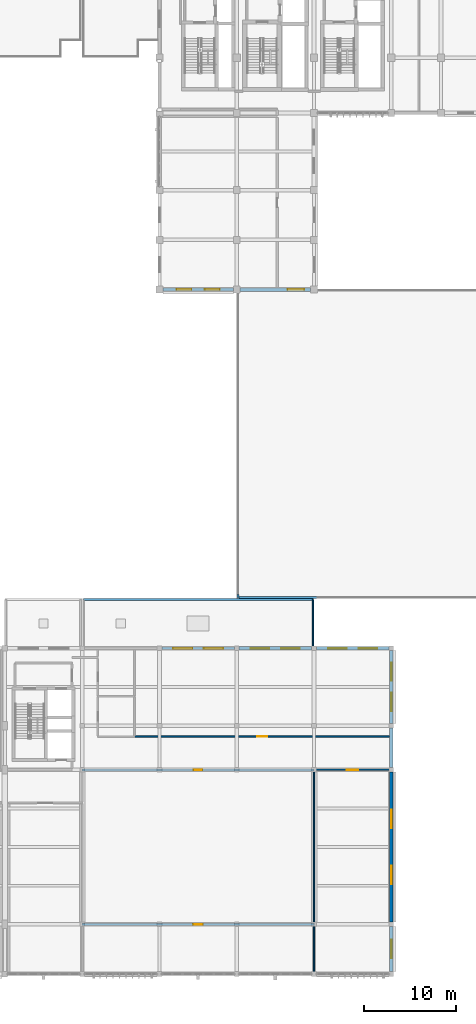
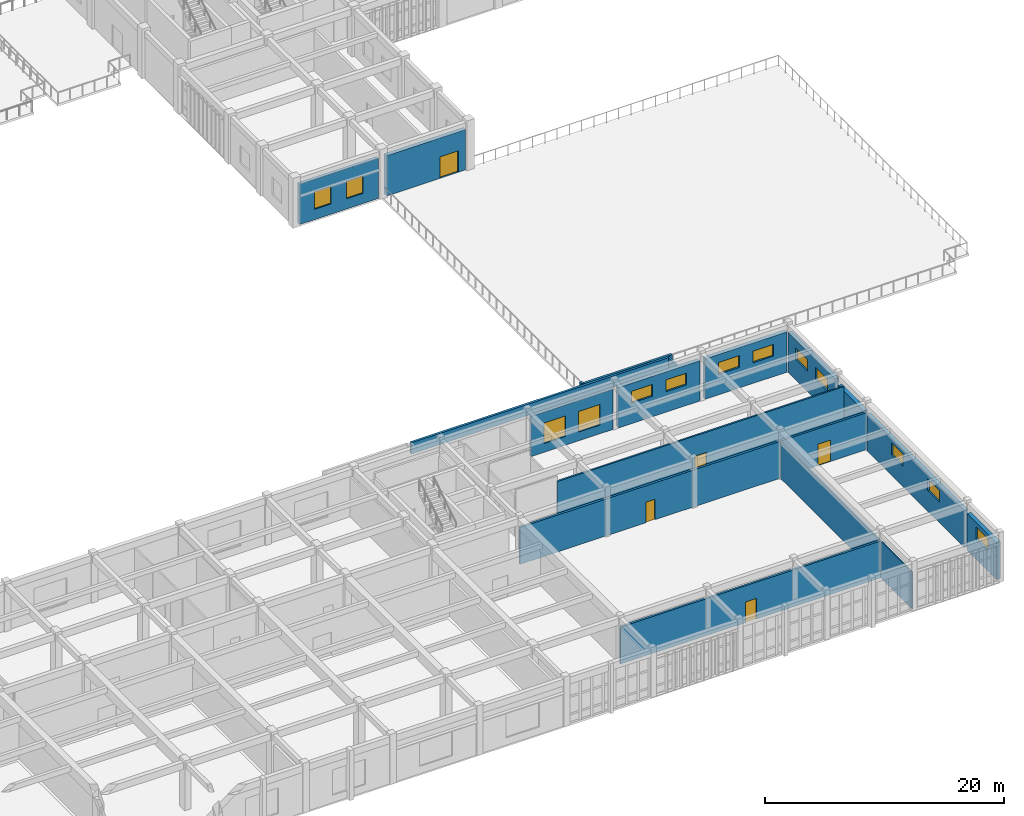
# One storey, part 79 of 93: 19 walls, 13 windows, 5 doors, 18 openings.
"""IFC4 building model written with IfcOpenShell, lengths in metres."""

from ifc_helpers import new_model, si_unit, direction, frame, frame_2d, origin, place, context, subcontext, project, spatial, rectangle, extrude, material, layer, layer_set, type_object, element, fill, save


model = new_model("IFC4")

# Units and contexts
model_context = context("Model", 3, precision=1e-05, world=origin(), true_north=direction((0.0, 1.0)))
body_context = subcontext(model_context, "Body", "Model", "MODEL_VIEW")
ifc_project = project(units=[si_unit("LENGTHUNIT", "METRE"), si_unit("AREAUNIT", "SQUARE_METRE"), si_unit("VOLUMEUNIT", "CUBIC_METRE"), si_unit("PLANEANGLEUNIT", "RADIAN"), si_unit("MASSUNIT", "GRAM", prefix="KILO")], contexts=[model_context])

# Site, building, storey
site_placement = place(None, origin())
site = spatial("IfcSite", under=ifc_project, at=site_placement, CompositionType="ELEMENT")
building_placement = place(site_placement, origin())
building = spatial("IfcBuilding", under=site, at=building_placement, Name="Krzemoval Escarpment Law Courts", CompositionType="ELEMENT")
storey_placement = place(building_placement, frame((0.0, 0.0, 10.199951171875)))
storey = spatial("IfcBuildingStorey", under=building, at=storey_placement, Name="L02", CompositionType="ELEMENT", Elevation=10.199951171875)

# Wall, openings, windows
ifc_material_1 = material(Name="Precast concrete C40/50", Category="concrete")
ifc_layer_1 = layer(ifc_material_1, 0.300048828125)
ifc_layer_set_1 = layer_set([ifc_layer_1], Name="Precast concrete C40/50")
wall_type_1 = type_object("IfcWallType", Name="WL-EXT-300", PredefinedType="SOLIDWALL", material=ifc_layer_set_1)
wall_1_placement = place(storey_placement, frame((126.25, 35.39990234375, 0.0), z_axis=(0.0, 0.0, 1.0), x_axis=(1.0, 0.0, 0.0)))
wall_1 = element("IfcWall", 1, at=wall_1_placement, inside=storey, type_object=wall_type_1, Name="Exterior Wall EW-L02-0286", PredefinedType="SOLIDWALL", context=body_context, shape_type="SweptSolid", body=[
    extrude(rectangle(XDim=7.89990234375, YDim=0.300048828125, at=frame_2d((3.949951171875, 0.0))), origin(), (0.0, 0.0, 1.0), 4.1201171875),
])
opening_1_placement = place(wall_1_placement, frame((1.23291015625, 0.0, 0.89990234375)))
opening_1 = element("IfcOpeningElement", 2, at=opening_1_placement, cuts=wall_1, Name="Opening WN-L02-0305", PredefinedType="OPENING", context=body_context, shape_type="SweptSolid", body=[
    extrude(rectangle(XDim=2.10009765625, YDim=2.10009765625, at=frame_2d((1.050048828125, 1.050048828125))), frame((0.0, 0.16502, 0.0), z_axis=(0.0, -1.0, 0.0), x_axis=(1.0, 0.0, 0.0)), (0.0, 0.0, 1.0), 0.33005),
])
opening_2_placement = place(wall_1_placement, frame((4.56689453125, 0.0, 0.89990234375)))
opening_2 = element("IfcOpeningElement", 3, at=opening_2_placement, cuts=wall_1, Name="Opening WN-L02-0306", PredefinedType="OPENING", context=body_context, shape_type="SweptSolid", body=[
    extrude(rectangle(XDim=2.10009765625, YDim=2.10009765625, at=frame_2d((1.050048828125, 1.050048828125))), frame((0.0, 0.16502, 0.0), z_axis=(0.0, -1.0, 0.0), x_axis=(1.0, 0.0, 0.0)), (0.0, 0.0, 1.0), 0.33005),
])
ifc_material_2 = material(Name="Thermally Broken Aluminium Frame with Triple Low-E Acoustic Glass", Category="aluminium")
window_type_1 = type_object("IfcWindowType", Name="WN-2100x2100", PartitioningType="SINGLE_PANEL", PredefinedType="WINDOW", material=ifc_material_2)
window_1_placement = place(opening_1_placement, origin())
window_1 = element("IfcWindow", 4, at=window_1_placement, inside=storey, type_object=window_type_1, Name="Facade Window WN-L02-0305", OverallHeight=2.10009765625, OverallWidth=2.10009765625, PartitioningType="SINGLE_PANEL", PredefinedType="WINDOW", context=body_context, shape_type="SweptSolid", body=[
    extrude(rectangle(XDim=2.10009765625, YDim=2.10009765625, at=frame_2d((1.050048828125, 1.050048828125))), frame((0.0, 0.030029296875, 0.0), z_axis=(0.0, -1.0, 0.0), x_axis=(1.0, 0.0, 0.0)), (0.0, 0.0, 1.0), 0.06005859375),
])
fill(opening_1, window_1)
window_2_placement = place(opening_2_placement, origin())
window_2 = element("IfcWindow", 5, at=window_2_placement, inside=storey, type_object=window_type_1, Name="Facade Window WN-L02-0306", OverallHeight=2.10009765625, OverallWidth=2.10009765625, PartitioningType="SINGLE_PANEL", PredefinedType="WINDOW", context=body_context, shape_type="SweptSolid", body=[
    extrude(rectangle(XDim=2.10009765625, YDim=2.10009765625, at=frame_2d((1.050048828125, 1.050048828125))), frame((0.0, 0.030029296875, 0.0), z_axis=(0.0, -1.0, 0.0), x_axis=(1.0, 0.0, 0.0)), (0.0, 0.0, 1.0), 0.06005859375),
])
fill(opening_2, window_2)

wall_2_placement = place(storey_placement, frame((134.02490234375, 74.39990234375, 0.0), z_axis=(0.0, 0.0, 1.0), x_axis=(-1.0, 0.0, 0.0)))
wall_2 = element("IfcWall", 6, at=wall_2_placement, inside=storey, type_object=wall_type_1, Name="Exterior Wall EW-L02-0322", PredefinedType="SOLIDWALL", context=body_context, shape_type="SweptSolid", body=[
    extrude(rectangle(XDim=7.64990234375, YDim=0.300048828125, at=frame_2d((3.824951171875, 0.0))), origin(), (0.0, 0.0, 1.0), 4.1201171875),
])
opening_3_placement = place(wall_2_placement, frame((1.48291015625, 0.0, 1.050048828125)))
opening_3 = element("IfcOpeningElement", 7, at=opening_3_placement, cuts=wall_2, Name="Opening WN-L02-0351", PredefinedType="OPENING", context=body_context, shape_type="SweptSolid", body=[
    extrude(rectangle(XDim=1.60009765625, YDim=1.800048828125, at=frame_2d((0.800048828125, 0.89990234375))), frame((0.0, 0.16502, 0.0), z_axis=(0.0, -1.0, 0.0), x_axis=(1.0, 0.0, 0.0)), (0.0, 0.0, 1.0), 0.33005),
])
opening_4_placement = place(wall_2_placement, frame((4.56689453125, 0.0, 1.050048828125)))
opening_4 = element("IfcOpeningElement", 8, at=opening_4_placement, cuts=wall_2, Name="Opening WN-L02-0352", PredefinedType="OPENING", context=body_context, shape_type="SweptSolid", body=[
    extrude(rectangle(XDim=1.60009765625, YDim=1.800048828125, at=frame_2d((0.800048828125, 0.89990234375))), frame((0.0, 0.16502, 0.0), z_axis=(0.0, -1.0, 0.0), x_axis=(1.0, 0.0, 0.0)), (0.0, 0.0, 1.0), 0.33005),
])
ifc_material_3 = material(Name="Thermally Broken Aluminium Frame with Triple Low-E Acoustic Glass", Category="aluminium")
window_type_2 = type_object("IfcWindowType", Name="WN-1600x1800", PartitioningType="SINGLE_PANEL", PredefinedType="WINDOW", material=ifc_material_3)
window_3_placement = place(opening_3_placement, origin())
window_3 = element("IfcWindow", 9, at=window_3_placement, inside=storey, type_object=window_type_2, Name="Facade Window WN-L02-0351", OverallHeight=1.800048828125, OverallWidth=1.60009765625, PartitioningType="SINGLE_PANEL", PredefinedType="WINDOW", context=body_context, shape_type="SweptSolid", body=[
    extrude(rectangle(XDim=1.60009765625, YDim=1.800048828125, at=frame_2d((0.800048828125, 0.89990234375))), frame((0.0, 0.030029296875, 0.0), z_axis=(0.0, -1.0, 0.0), x_axis=(1.0, 0.0, 0.0)), (0.0, 0.0, 1.0), 0.06005859375),
])
fill(opening_3, window_3)
window_4_placement = place(opening_4_placement, origin())
window_4 = element("IfcWindow", 10, at=window_4_placement, inside=storey, type_object=window_type_2, Name="Facade Window WN-L02-0352", OverallHeight=1.800048828125, OverallWidth=1.60009765625, PartitioningType="SINGLE_PANEL", PredefinedType="WINDOW", context=body_context, shape_type="SweptSolid", body=[
    extrude(rectangle(XDim=1.60009765625, YDim=1.800048828125, at=frame_2d((0.800048828125, 0.89990234375))), frame((0.0, 0.030029296875, 0.0), z_axis=(0.0, -1.0, 0.0), x_axis=(1.0, 0.0, 0.0)), (0.0, 0.0, 1.0), 0.06005859375),
])
fill(opening_4, window_4)

ifc_material_4 = material(Name="Concrete C40/50", Category="concrete")
ifc_layer_2 = layer(ifc_material_4, 0.3798828125)
ifc_layer_set_2 = layer_set([ifc_layer_2], Name="Concrete C40/50")
wall_type_2 = type_object("IfcWallType", Name="WL-EXT-380", PredefinedType="SOLIDWALL", material=ifc_layer_set_2)
wall_3_placement = place(storey_placement, frame((134.64990234375, 35.39990234375, 0.0), z_axis=(0.0, 0.0, 1.0), x_axis=(1.0, 0.0, 0.0)))
wall_3 = element("IfcWall", 11, at=wall_3_placement, inside=storey, type_object=wall_type_2, Name="Exterior Wall EW-L02-0287", PredefinedType="SOLIDWALL", context=body_context, shape_type="SweptSolid", body=[
    extrude(rectangle(XDim=7.900146484375, YDim=0.3798828125, at=frame_2d((3.9501953125, 0.0))), origin(), (0.0, 0.0, 1.0), 4.1201171875),
])
opening_5_placement = place(wall_3_placement, frame((1.300048828125, 0.0, 2.10009765625)))
opening_5 = element("IfcOpeningElement", 12, at=opening_5_placement, cuts=wall_3, Name="Opening WN-L02-0307", PredefinedType="OPENING", context=body_context, shape_type="SweptSolid", body=[
    extrude(rectangle(XDim=2.0, YDim=1.199951171875, at=frame_2d((1.0, 0.60009765625))), frame((0.0, 0.20494, 0.0), z_axis=(0.0, -1.0, 0.0), x_axis=(1.0, 0.0, 0.0)), (0.0, 0.0, 1.0), 0.40988),
])
opening_6_placement = place(wall_3_placement, frame((4.60009765625, 0.0, 2.10009765625)))
opening_6 = element("IfcOpeningElement", 13, at=opening_6_placement, cuts=wall_3, Name="Opening WN-L02-0308", PredefinedType="OPENING", context=body_context, shape_type="SweptSolid", body=[
    extrude(rectangle(XDim=2.0, YDim=1.199951171875, at=frame_2d((1.0, 0.60009765625))), frame((0.0, 0.20494, 0.0), z_axis=(0.0, -1.0, 0.0), x_axis=(1.0, 0.0, 0.0)), (0.0, 0.0, 1.0), 0.40988),
])
ifc_material_5 = material(Name="Thermally Broken Aluminium Frame with Triple Low-E Acoustic Glass", Category="aluminium")
window_type_3 = type_object("IfcWindowType", Name="WN-2000x1200", PartitioningType="SINGLE_PANEL", PredefinedType="WINDOW", material=ifc_material_5)
window_5_placement = place(opening_5_placement, origin())
window_5 = element("IfcWindow", 14, at=window_5_placement, inside=storey, type_object=window_type_3, Name="Facade Window WN-L02-0307", OverallHeight=1.199951171875, OverallWidth=2.0, PartitioningType="SINGLE_PANEL", PredefinedType="WINDOW", context=body_context, shape_type="SweptSolid", body=[
    extrude(rectangle(XDim=2.0, YDim=1.199951171875, at=frame_2d((1.0, 0.60009765625))), frame((0.0, 0.030029296875, 0.0), z_axis=(0.0, -1.0, 0.0), x_axis=(1.0, 0.0, 0.0)), (0.0, 0.0, 1.0), 0.06005859375),
])
fill(opening_5, window_5)
window_6_placement = place(opening_6_placement, origin())
window_6 = element("IfcWindow", 15, at=window_6_placement, inside=storey, type_object=window_type_3, Name="Facade Window WN-L02-0308", OverallHeight=1.199951171875, OverallWidth=2.0, PartitioningType="SINGLE_PANEL", PredefinedType="WINDOW", context=body_context, shape_type="SweptSolid", body=[
    extrude(rectangle(XDim=2.0, YDim=1.199951171875, at=frame_2d((1.0, 0.60009765625))), frame((0.0, 0.030029296875, 0.0), z_axis=(0.0, -1.0, 0.0), x_axis=(1.0, 0.0, 0.0)), (0.0, 0.0, 1.0), 0.06005859375),
])
fill(opening_6, window_6)

wall_4_placement = place(storey_placement, frame((143.050048828125, 35.39990234375, 0.0), z_axis=(0.0, 0.0, 1.0), x_axis=(1.0, 0.0, 0.0)))
wall_4 = element("IfcWall", 16, at=wall_4_placement, inside=storey, type_object=wall_type_2, Name="Exterior Wall EW-L02-0288", PredefinedType="SOLIDWALL", context=body_context, shape_type="SweptSolid", body=[
    extrude(rectangle(XDim=7.89990234375, YDim=0.3798828125, at=frame_2d((3.949951171875, 0.0))), origin(), (0.0, 0.0, 1.0), 4.1201171875),
])
opening_7_placement = place(wall_4_placement, frame((1.300048828125, 0.0, 2.10009765625)))
opening_7 = element("IfcOpeningElement", 17, at=opening_7_placement, cuts=wall_4, Name="Opening WN-L02-0309", PredefinedType="OPENING", context=body_context, shape_type="SweptSolid", body=[
    extrude(rectangle(XDim=2.0, YDim=1.199951171875, at=frame_2d((1.0, 0.60009765625))), frame((0.0, 0.20494, 0.0), z_axis=(0.0, -1.0, 0.0), x_axis=(1.0, 0.0, 0.0)), (0.0, 0.0, 1.0), 0.40988),
])
opening_8_placement = place(wall_4_placement, frame((4.60009765625, 0.0, 2.10009765625)))
opening_8 = element("IfcOpeningElement", 18, at=opening_8_placement, cuts=wall_4, Name="Opening WN-L02-0310", PredefinedType="OPENING", context=body_context, shape_type="SweptSolid", body=[
    extrude(rectangle(XDim=2.0, YDim=1.199951171875, at=frame_2d((1.0, 0.60009765625))), frame((0.0, 0.20494, 0.0), z_axis=(0.0, -1.0, 0.0), x_axis=(1.0, 0.0, 0.0)), (0.0, 0.0, 1.0), 0.40988),
])
window_7_placement = place(opening_7_placement, origin())
window_7 = element("IfcWindow", 19, at=window_7_placement, inside=storey, type_object=window_type_3, Name="Facade Window WN-L02-0309", OverallHeight=1.199951171875, OverallWidth=2.0, PartitioningType="SINGLE_PANEL", PredefinedType="WINDOW", context=body_context, shape_type="SweptSolid", body=[
    extrude(rectangle(XDim=2.0, YDim=1.199951171875, at=frame_2d((1.0, 0.60009765625))), frame((0.0, 0.030029296875, 0.0), z_axis=(0.0, -1.0, 0.0), x_axis=(1.0, 0.0, 0.0)), (0.0, 0.0, 1.0), 0.06005859375),
])
fill(opening_7, window_7)
window_8_placement = place(opening_8_placement, origin())
window_8 = element("IfcWindow", 20, at=window_8_placement, inside=storey, type_object=window_type_3, Name="Facade Window WN-L02-0310", OverallHeight=1.199951171875, OverallWidth=2.0, PartitioningType="SINGLE_PANEL", PredefinedType="WINDOW", context=body_context, shape_type="SweptSolid", body=[
    extrude(rectangle(XDim=2.0, YDim=1.199951171875, at=frame_2d((1.0, 0.60009765625))), frame((0.0, 0.030029296875, 0.0), z_axis=(0.0, -1.0, 0.0), x_axis=(1.0, 0.0, 0.0)), (0.0, 0.0, 1.0), 0.06005859375),
])
fill(opening_8, window_8)

wall_5_placement = place(storey_placement, frame((151.199951171875, 35.14990234375, 0.0), z_axis=(0.0, 0.0, 1.0), x_axis=(0.0, -1.0, 0.0)))
wall_5 = element("IfcWall", 21, at=wall_5_placement, inside=storey, type_object=wall_type_2, Name="Exterior Wall EW-L02-0289", PredefinedType="SOLIDWALL", context=body_context, shape_type="SweptSolid", body=[
    extrude(rectangle(XDim=7.89990234375, YDim=0.3798828125, at=frame_2d((3.949951171875, 0.0))), origin(), (0.0, 0.0, 1.0), 4.1201171875),
])
opening_9_placement = place(wall_5_placement, frame((1.300048828125, 0.0, 2.10009765625)))
opening_9 = element("IfcOpeningElement", 22, at=opening_9_placement, cuts=wall_5, Name="Opening WN-L02-0311", PredefinedType="OPENING", context=body_context, shape_type="SweptSolid", body=[
    extrude(rectangle(XDim=2.0, YDim=1.199951171875, at=frame_2d((1.0, 0.60009765625))), frame((0.0, 0.20494, 0.0), z_axis=(0.0, -1.0, 0.0), x_axis=(1.0, 0.0, 0.0)), (0.0, 0.0, 1.0), 0.40988),
])
opening_10_placement = place(wall_5_placement, frame((4.60009765625, 0.0, 2.10009765625)))
opening_10 = element("IfcOpeningElement", 23, at=opening_10_placement, cuts=wall_5, Name="Opening WN-L02-0312", PredefinedType="OPENING", context=body_context, shape_type="SweptSolid", body=[
    extrude(rectangle(XDim=2.0, YDim=1.199951171875, at=frame_2d((1.0, 0.60009765625))), frame((0.0, 0.20494, 0.0), z_axis=(0.0, -1.0, 0.0), x_axis=(1.0, 0.0, 0.0)), (0.0, 0.0, 1.0), 0.40988),
])
window_9_placement = place(opening_9_placement, origin())
window_9 = element("IfcWindow", 24, at=window_9_placement, inside=storey, type_object=window_type_3, Name="Facade Window WN-L02-0311", OverallHeight=1.199951171875, OverallWidth=2.0, PartitioningType="SINGLE_PANEL", PredefinedType="WINDOW", context=body_context, shape_type="SweptSolid", body=[
    extrude(rectangle(XDim=2.0, YDim=1.199951171875, at=frame_2d((1.0, 0.60009765625))), frame((0.0, 0.030029296875, 0.0), z_axis=(0.0, -1.0, 0.0), x_axis=(1.0, 0.0, 0.0)), (0.0, 0.0, 1.0), 0.06005859375),
])
fill(opening_9, window_9)
window_10_placement = place(opening_10_placement, origin())
window_10 = element("IfcWindow", 25, at=window_10_placement, inside=storey, type_object=window_type_3, Name="Facade Window WN-L02-0312", OverallHeight=1.199951171875, OverallWidth=2.0, PartitioningType="SINGLE_PANEL", PredefinedType="WINDOW", context=body_context, shape_type="SweptSolid", body=[
    extrude(rectangle(XDim=2.0, YDim=1.199951171875, at=frame_2d((1.0, 0.60009765625))), frame((0.0, 0.030029296875, 0.0), z_axis=(0.0, -1.0, 0.0), x_axis=(1.0, 0.0, 0.0)), (0.0, 0.0, 1.0), 0.06005859375),
])
fill(opening_10, window_10)

# Wall
wall_6_placement = place(storey_placement, frame((151.199951171875, 26.75, 0.0), z_axis=(0.0, 0.0, 1.0), x_axis=(0.0, -1.0, 0.0)))
element("IfcWall", 26, at=wall_6_placement, inside=storey, type_object=wall_type_2, Name="Exterior Wall EW-L02-0290", PredefinedType="SOLIDWALL", context=body_context, shape_type="SweptSolid", body=[
    extrude(rectangle(XDim=4.300048828125, YDim=0.3798828125, at=frame_2d((2.14990234375, 0.0))), origin(), (0.0, 0.0, 1.0), 3.77001953125),
])

# Wall, openings, windows
wall_7_placement = place(storey_placement, frame((151.199951171875, 21.949951171875, 0.0), z_axis=(0.0, 0.0, 1.0), x_axis=(0.0, -1.0, 0.0)))
wall_7 = element("IfcWall", 27, at=wall_7_placement, inside=storey, type_object=wall_type_2, Name="Exterior Wall EW-L02-0291", PredefinedType="SOLIDWALL", context=body_context, shape_type="SweptSolid", body=[
    extrude(rectangle(XDim=16.300048828125, YDim=0.3798828125, at=frame_2d((8.14990234375, 0.0))), origin(), (0.0, 0.0, 1.0), 3.77001953125),
])
opening_11_placement = place(wall_7_placement, frame((4.10009765625, 0.0, 2.10009765625)))
opening_11 = element("IfcOpeningElement", 28, at=opening_11_placement, cuts=wall_7, Name="Opening WN-L02-0313", PredefinedType="OPENING", context=body_context, shape_type="SweptSolid", body=[
    extrude(rectangle(XDim=2.0, YDim=1.199951171875, at=frame_2d((1.0, 0.60009765625))), frame((0.0, 0.20494, 0.0), z_axis=(0.0, -1.0, 0.0), x_axis=(1.0, 0.0, 0.0)), (0.0, 0.0, 1.0), 0.40988),
])
opening_12_placement = place(wall_7_placement, frame((10.199951171875, 0.0, 2.10009765625)))
opening_12 = element("IfcOpeningElement", 29, at=opening_12_placement, cuts=wall_7, Name="Opening WN-L02-0314", PredefinedType="OPENING", context=body_context, shape_type="SweptSolid", body=[
    extrude(rectangle(XDim=2.0, YDim=1.199951171875, at=frame_2d((1.0, 0.60009765625))), frame((0.0, 0.20494, 0.0), z_axis=(0.0, -1.0, 0.0), x_axis=(1.0, 0.0, 0.0)), (0.0, 0.0, 1.0), 0.40988),
])
window_11_placement = place(opening_11_placement, origin())
window_11 = element("IfcWindow", 30, at=window_11_placement, inside=storey, type_object=window_type_3, Name="Facade Window WN-L02-0313", OverallHeight=1.199951171875, OverallWidth=2.0, PartitioningType="SINGLE_PANEL", PredefinedType="WINDOW", context=body_context, shape_type="SweptSolid", body=[
    extrude(rectangle(XDim=2.0, YDim=1.199951171875, at=frame_2d((1.0, 0.60009765625))), frame((0.0, 0.030029296875, 0.0), z_axis=(0.0, -1.0, 0.0), x_axis=(1.0, 0.0, 0.0)), (0.0, 0.0, 1.0), 0.06005859375),
])
fill(opening_11, window_11)
window_12_placement = place(opening_12_placement, origin())
window_12 = element("IfcWindow", 31, at=window_12_placement, inside=storey, type_object=window_type_3, Name="Facade Window WN-L02-0314", OverallHeight=1.199951171875, OverallWidth=2.0, PartitioningType="SINGLE_PANEL", PredefinedType="WINDOW", context=body_context, shape_type="SweptSolid", body=[
    extrude(rectangle(XDim=2.0, YDim=1.199951171875, at=frame_2d((1.0, 0.60009765625))), frame((0.0, 0.030029296875, 0.0), z_axis=(0.0, -1.0, 0.0), x_axis=(1.0, 0.0, 0.0)), (0.0, 0.0, 1.0), 0.06005859375),
])
fill(opening_12, window_12)

# Wall, opening, window
wall_8_placement = place(storey_placement, frame((151.199951171875, 5.14990234375, 0.0), z_axis=(0.0, 0.0, 1.0), x_axis=(0.0, -1.0, 0.0)))
wall_8 = element("IfcWall", 32, at=wall_8_placement, inside=storey, type_object=wall_type_2, Name="Exterior Wall EW-L02-0292", PredefinedType="SOLIDWALL", context=body_context, shape_type="SweptSolid", body=[
    extrude(rectangle(XDim=4.89990234375, YDim=0.3798828125, at=frame_2d((2.449951171875, 0.0))), origin(), (0.0, 0.0, 1.0), 3.77001953125),
])
opening_13_placement = place(wall_8_placement, frame((1.449951171875, 0.0, 2.10009765625)))
opening_13 = element("IfcOpeningElement", 33, at=opening_13_placement, cuts=wall_8, Name="Opening WN-L02-0315", PredefinedType="OPENING", context=body_context, shape_type="SweptSolid", body=[
    extrude(rectangle(XDim=2.0, YDim=1.199951171875, at=frame_2d((1.0, 0.60009765625))), frame((0.0, 0.20494, 0.0), z_axis=(0.0, -1.0, 0.0), x_axis=(1.0, 0.0, 0.0)), (0.0, 0.0, 1.0), 0.40988),
])
window_13_placement = place(opening_13_placement, origin())
window_13 = element("IfcWindow", 34, at=window_13_placement, inside=storey, type_object=window_type_3, Name="Facade Window WN-L02-0315", OverallHeight=1.199951171875, OverallWidth=2.0, PartitioningType="SINGLE_PANEL", PredefinedType="WINDOW", context=body_context, shape_type="SweptSolid", body=[
    extrude(rectangle(XDim=2.0, YDim=1.199951171875, at=frame_2d((1.0, 0.60009765625))), frame((0.0, 0.030029296875, 0.0), z_axis=(0.0, -1.0, 0.0), x_axis=(1.0, 0.0, 0.0)), (0.0, 0.0, 1.0), 0.06005859375),
])
fill(opening_13, window_13)

# Wall, opening, door
wall_9_placement = place(storey_placement, frame((142.425048828125, 74.39990234375, 0.0), z_axis=(0.0, 0.0, 1.0), x_axis=(-1.0, 0.0, 0.0)))
wall_9 = element("IfcWall", 35, at=wall_9_placement, inside=storey, type_object=wall_type_2, Name="Exterior Wall EW-L02-0321", PredefinedType="SOLIDWALL", context=body_context, shape_type="SweptSolid", body=[
    extrude(rectangle(XDim=7.650146484375, YDim=0.3798828125, at=frame_2d((3.8251953125, 0.0))), origin(), (0.0, 0.0, 1.0), 4.1201171875),
])
opening_14_placement = place(wall_9_placement, frame((0.699951171875, 0.0, 0.0)))
opening_14 = element("IfcOpeningElement", 36, at=opening_14_placement, cuts=wall_9, Name="Opening TD-L02-19", PredefinedType="OPENING", context=body_context, shape_type="SweptSolid", body=[
    extrude(rectangle(XDim=1.800048828125, YDim=2.199951171875, at=frame_2d((0.89990234375, 1.10009765625))), frame((0.0, 0.20494, 0.0), z_axis=(0.0, -1.0, 0.0), x_axis=(1.0, 0.0, 0.0)), (0.0, 0.0, 1.0), 0.40988),
])
ifc_material_6 = material(Name="Thermally Broken Aluminium and Laminated Safety Glass", Category="aluminium")
door_type_1 = type_object("IfcDoorType", Name="DR-TER-1800x2200", OperationType="SINGLE_SWING_LEFT", PredefinedType="DOOR", material=ifc_material_6)
door_1_placement = place(opening_14_placement, origin())
door_1 = element("IfcDoor", 37, at=door_1_placement, inside=storey, type_object=door_type_1, Name="Terrace Access Door TD-L02-19", OperationType="DOUBLE_DOOR_SINGLE_SWING", OverallHeight=2.199951171875, OverallWidth=1.800048828125, PredefinedType="DOOR", context=body_context, shape_type="SweptSolid", body=[
    extrude(rectangle(XDim=1.800048828125, YDim=2.199951171875, at=frame_2d((0.89990234375, 1.10009765625))), frame((0.0, 0.02490234375, 0.0), z_axis=(0.0, -1.0, 0.0), x_axis=(1.0, 0.0, 0.0)), (0.0, 0.0, 1.0), 0.050048828125),
])
fill(opening_14, door_1)

# Walls
ifc_material_7 = material(Name="Precast concrete C40/50", Category="concrete")
ifc_layer_3 = layer(ifc_material_7, 0.179931640625)
ifc_layer_set_3 = layer_set([ifc_layer_3], Name="Precast concrete C40/50")
wall_type_3 = type_object("IfcWallType", Name="WL-PAR-180", PredefinedType="PARAPET", material=ifc_layer_set_3)
wall_10_placement = place(storey_placement, frame((142.68994140625, 35.64990234375, 0.0), z_axis=(0.0, 0.0, 1.0), x_axis=(0.0, 1.0, 0.0)))
element("IfcWall", 38, at=wall_10_placement, inside=storey, type_object=wall_type_3, Name="Roof Parapet PR-L02-011", PredefinedType="PARAPET", context=body_context, shape_type="SweptSolid", body=[
    extrude(rectangle(XDim=5.0400390625, YDim=0.179931640625, at=frame_2d((2.52001953125, 0.0))), origin(), (0.0, 0.0, 1.0), 1.150146484375),
])
ifc_material_8 = material(Name="Precast concrete C40/50", Category="concrete")
ifc_layer_4 = layer(ifc_material_8, 0.219970703125)
ifc_layer_set_4 = layer_set([ifc_layer_4], Name="Precast concrete C40/50")
wall_type_4 = type_object("IfcWallType", Name="WL-PAR-220", PredefinedType="PARAPET", material=ifc_layer_set_4)
wall_11_placement = place(storey_placement, frame((142.68994140625, 40.68994140625, 0.0), z_axis=(0.0, 0.0, 1.0), x_axis=(-1.0, 0.0, 0.0)))
element("IfcWall", 39, at=wall_11_placement, inside=storey, type_object=wall_type_4, Name="Roof Parapet PR-L02-012", PredefinedType="PARAPET", context=body_context, shape_type="SweptSolid", body=[
    extrude(rectangle(XDim=24.93994140625, YDim=0.219970703125, at=frame_2d((12.469970703125, 0.0))), origin(), (0.0, 0.0, 1.0), 1.150146484375),
])
wall_12_placement = place(storey_placement, frame((134.52001953125, 40.919921875, 0.0), z_axis=(0.0, 0.0, 1.0), x_axis=(0.0, 1.0, 0.0)))
element("IfcWall", 40, at=wall_12_placement, inside=storey, type_object=wall_type_4, Name="Terrace Division Parapet PR-L02-027", PredefinedType="PARAPET", context=body_context, shape_type="SweptSolid", body=[
    extrude(rectangle(XDim=0.330078125, YDim=0.219970703125, at=frame_2d((0.1650390625, 0.0))), origin(), (0.0, 0.0, 1.0), 1.150146484375),
])
wall_13_placement = place(storey_placement, frame((143.117919921875, 40.919921875, 0.0), z_axis=(0.0, 0.0, 1.0), x_axis=(-1.0, 0.0, 0.0)))
element("IfcWall", 41, at=wall_13_placement, inside=storey, type_object=wall_type_4, Name="Terrace Division Parapet PR-L02-028", PredefinedType="PARAPET", context=body_context, shape_type="SweptSolid", body=[
    extrude(rectangle(XDim=8.48291015625, YDim=0.219970703125, at=frame_2d((4.241455078125, 0.0))), origin(), (0.0, 0.0, 1.0), 1.150146484375),
])
ifc_material_9 = material(Name="Light Internal Subdivision Partition", Category="gypsum")
ifc_layer_5 = layer(ifc_material_9, 0.114990234375)
ifc_layer_set_5 = layer_set([ifc_layer_5], Name="Light Internal Subdivision Partition")
wall_type_5 = type_object("IfcWallType", Name="WL-PRT-115", PredefinedType="PARTITIONING", material=ifc_layer_set_5)
wall_14_placement = place(storey_placement, frame((142.800048828125, 0.055908203125, 0.0), z_axis=(0.0, 0.0, 1.0), x_axis=(0.0, 1.0, 0.0)))
element("IfcWall", 42, at=wall_14_placement, inside=storey, type_object=wall_type_5, Name="Interior Partition PW-L02-0480", PredefinedType="PARTITIONING", context=body_context, shape_type="SweptSolid", body=[
    extrude(rectangle(XDim=5.2421875, YDim=0.114990234375, at=frame_2d((2.62109375, 0.0))), origin(), (0.0, 0.0, 1.0), 3.77001953125),
])
ifc_material_10 = material(Name="Sanitary Moisture-Resistant Partition", Category="gypsum")
ifc_layer_6 = layer(ifc_material_10, 0.139892578125)
ifc_layer_set_6 = layer_set([ifc_layer_6], Name="Sanitary Moisture-Resistant Partition")
wall_type_6 = type_object("IfcWallType", Name="WL-PRT-140", PredefinedType="PARTITIONING", material=ifc_layer_set_6)
wall_15_placement = place(storey_placement, frame((142.800048828125, 5.501953125, 0.0), z_axis=(0.0, 0.0, 1.0), x_axis=(0.0, 1.0, 0.0)))
element("IfcWall", 43, at=wall_15_placement, inside=storey, type_object=wall_type_6, Name="Interior Partition PW-L02-0479", PredefinedType="PARTITIONING", context=body_context, shape_type="SweptSolid", body=[
    extrude(rectangle(XDim=16.5859375, YDim=0.139892578125, at=frame_2d((8.29296875, 0.0))), origin(), (0.0, 0.0, 1.0), 3.77001953125),
])

# Wall, opening, door
ifc_material_11 = material(Name="Jury Suite Partition Assembly", Category="gypsum")
ifc_layer_7 = layer(ifc_material_11, 0.159912109375)
ifc_layer_set_7 = layer_set([ifc_layer_7], Name="Jury Suite Partition Assembly")
wall_type_7 = type_object("IfcWallType", Name="WL-PRT-160", PredefinedType="PARTITIONING", material=ifc_layer_set_7)
wall_16_placement = place(storey_placement, frame((123.300048828125, 25.800048828125, 0.0), z_axis=(0.0, 0.0, 1.0), x_axis=(1.0, 0.0, 0.0)))
wall_16 = element("IfcWall", 44, at=wall_16_placement, inside=storey, type_object=wall_type_7, Name="Interior Partition PW-L02-0380", PredefinedType="PARTITIONING", context=body_context, shape_type="SweptSolid", body=[
    extrude(rectangle(XDim=27.7080078125, YDim=0.159912109375, at=frame_2d((13.85400390625, 0.0))), origin(), (0.0, 0.0, 1.0), 4.27001953125),
])
opening_15_placement = place(wall_16_placement, frame((13.303955078125, 0.0, 0.0)))
opening_15 = element("IfcOpeningElement", 45, at=opening_15_placement, cuts=wall_16, Name="Opening D-L02-0155", PredefinedType="OPENING", context=body_context, shape_type="SweptSolid", body=[
    extrude(rectangle(XDim=1.10009765625, YDim=2.199951171875, at=frame_2d((0.550048828125, 1.10009765625))), frame((0.0, 0.09496, 0.0), z_axis=(0.0, -1.0, 0.0), x_axis=(1.0, 0.0, 0.0)), (0.0, 0.0, 1.0), 0.18991),
])
ifc_material_12 = material(Name="Engineered Solid-Core Oak Acoustic Timber", Category="wood")
door_type_2 = type_object("IfcDoorType", Name="DR-INT-1100x2200", OperationType="SINGLE_SWING_LEFT", PredefinedType="DOOR", material=ifc_material_12)
door_2_placement = place(opening_15_placement, origin())
door_2 = element("IfcDoor", 46, at=door_2_placement, inside=storey, type_object=door_type_2, Name="Room Door D-L02-0155", OperationType="SINGLE_SWING_RIGHT", OverallHeight=2.199951171875, OverallWidth=1.10009765625, PredefinedType="DOOR", context=body_context, shape_type="SweptSolid", body=[
    extrude(rectangle(XDim=1.10009765625, YDim=2.199951171875, at=frame_2d((0.550048828125, 1.10009765625))), frame((0.0, 0.02490234375, 0.0), z_axis=(0.0, -1.0, 0.0), x_axis=(1.0, 0.0, 0.0)), (0.0, 0.0, 1.0), 0.050048828125),
])
fill(opening_15, door_2)

ifc_material_13 = material(Name="Fire-Rated Corridor Partition Wall", Category="gypsum")
ifc_layer_8 = layer(ifc_material_13, 0.199951171875)
ifc_layer_set_8 = layer_set([ifc_layer_8], Name="Fire-Rated Corridor Partition Wall")
wall_type_8 = type_object("IfcWallType", Name="WL-PRT-200", PredefinedType="PARTITIONING", material=ifc_layer_set_8)
wall_17_placement = place(storey_placement, frame((117.60009765625, 5.39990234375, 0.0), z_axis=(0.0, 0.0, 1.0), x_axis=(1.0, 0.0, 0.0)))
wall_17 = element("IfcWall", 47, at=wall_17_placement, inside=storey, type_object=wall_type_8, Name="Interior Partition PW-L02-0365", PredefinedType="PARTITIONING", context=body_context, shape_type="SweptSolid", body=[
    extrude(rectangle(XDim=25.199951171875, YDim=0.199951171875, at=frame_2d((12.60009765625, 0.0))), origin(), (0.0, 0.0, 1.0), 3.77001953125),
])
opening_16_placement = place(wall_17_placement, frame((12.074951171875, 0.0, 0.0)))
opening_16 = element("IfcOpeningElement", 48, at=opening_16_placement, cuts=wall_17, Name="Opening D-L02-0151", PredefinedType="OPENING", context=body_context, shape_type="SweptSolid", body=[
    extrude(rectangle(XDim=1.050048828125, YDim=2.10009765625, at=frame_2d((0.52490234375, 1.050048828125))), frame((0.0, 0.11498, 0.0), z_axis=(0.0, -1.0, 0.0), x_axis=(1.0, 0.0, 0.0)), (0.0, 0.0, 1.0), 0.22995),
])
ifc_material_14 = material(Name="Engineered Solid-Core Oak Acoustic Timber", Category="wood")
door_type_3 = type_object("IfcDoorType", Name="DR-INT-1050x2100", OperationType="SINGLE_SWING_LEFT", PredefinedType="DOOR", material=ifc_material_14)
door_3_placement = place(opening_16_placement, origin())
door_3 = element("IfcDoor", 49, at=door_3_placement, inside=storey, type_object=door_type_3, Name="Room Door D-L02-0151", OperationType="SINGLE_SWING_RIGHT", OverallHeight=2.10009765625, OverallWidth=1.050048828125, PredefinedType="DOOR", context=body_context, shape_type="SweptSolid", body=[
    extrude(rectangle(XDim=1.050048828125, YDim=2.10009765625, at=frame_2d((0.52490234375, 1.050048828125))), frame((0.0, 0.02490234375, 0.0), z_axis=(0.0, -1.0, 0.0), x_axis=(1.0, 0.0, 0.0)), (0.0, 0.0, 1.0), 0.050048828125),
])
fill(opening_16, door_3)

wall_18_placement = place(storey_placement, frame((142.800048828125, 22.199951171875, 0.0), z_axis=(0.0, 0.0, 1.0), x_axis=(1.0, 0.0, 0.0)))
wall_18 = element("IfcWall", 50, at=wall_18_placement, inside=storey, type_object=wall_type_8, Name="Interior Partition PW-L02-0378", PredefinedType="PARTITIONING", context=body_context, shape_type="SweptSolid", body=[
    extrude(rectangle(XDim=8.368896484375, YDim=0.199951171875, at=frame_2d((4.1845703125, 0.0))), origin(), (0.0, 0.0, 1.0), 3.77001953125),
])
opening_17_placement = place(wall_18_placement, frame((3.55908203125, 0.0, 0.0)))
opening_17 = element("IfcOpeningElement", 51, at=opening_17_placement, cuts=wall_18, Name="Opening D-L02-0152", PredefinedType="OPENING", context=body_context, shape_type="SweptSolid", body=[
    extrude(rectangle(XDim=1.25, YDim=2.199951171875, at=frame_2d((0.625, 1.10009765625))), frame((0.0, 0.11498, 0.0), z_axis=(0.0, -1.0, 0.0), x_axis=(1.0, 0.0, 0.0)), (0.0, 0.0, 1.0), 0.22995),
])
ifc_material_15 = material(Name="Engineered Solid-Core Oak Acoustic Timber", Category="wood")
door_type_4 = type_object("IfcDoorType", Name="DR-INT-1250x2200", OperationType="SINGLE_SWING_LEFT", PredefinedType="DOOR", material=ifc_material_15)
door_4_placement = place(opening_17_placement, origin())
door_4 = element("IfcDoor", 52, at=door_4_placement, inside=storey, type_object=door_type_4, Name="Room Door D-L02-0152", OperationType="SINGLE_SWING_LEFT", OverallHeight=2.199951171875, OverallWidth=1.25, PredefinedType="DOOR", context=body_context, shape_type="SweptSolid", body=[
    extrude(rectangle(XDim=1.25, YDim=2.199951171875, at=frame_2d((0.625, 1.10009765625))), frame((0.0, 0.02490234375, 0.0), z_axis=(0.0, -1.0, 0.0), x_axis=(1.0, 0.0, 0.0)), (0.0, 0.0, 1.0), 0.050048828125),
])
fill(opening_17, door_4)

ifc_material_16 = material(Name="Solid Calcium-Silicate Custody Blockwork Partition", Category="masonry")
ifc_layer_9 = layer(ifc_material_16, 0.219970703125)
ifc_layer_set_9 = layer_set([ifc_layer_9], Name="Solid Calcium-Silicate Custody Blockwork Partition")
wall_type_9 = type_object("IfcWallType", Name="WL-PRT-220", PredefinedType="PARTITIONING", material=ifc_layer_set_9)
wall_19_placement = place(storey_placement, frame((117.60009765625, 22.199951171875, 0.0), z_axis=(0.0, 0.0, 1.0), x_axis=(1.0, 0.0, 0.0)))
wall_19 = element("IfcWall", 53, at=wall_19_placement, inside=storey, type_object=wall_type_9, Name="Interior Partition PW-L02-0377", PredefinedType="PARTITIONING", context=body_context, shape_type="SweptSolid", body=[
    extrude(rectangle(XDim=25.199951171875, YDim=0.219970703125, at=frame_2d((12.60009765625, 0.0))), origin(), (0.0, 0.0, 1.0), 3.77001953125),
])
opening_18_placement = place(wall_19_placement, frame((12.14990234375, 0.0, 0.0)))
opening_18 = element("IfcOpeningElement", 54, at=opening_18_placement, cuts=wall_19, Name="Opening D-L02-0150", PredefinedType="OPENING", context=body_context, shape_type="SweptSolid", body=[
    extrude(rectangle(XDim=0.89990234375, YDim=2.10009765625, at=frame_2d((0.449951171875, 1.050048828125))), frame((0.0, 0.12499, 0.0), z_axis=(0.0, -1.0, 0.0), x_axis=(1.0, 0.0, 0.0)), (0.0, 0.0, 1.0), 0.24997),
])
ifc_material_17 = material(Name="Engineered Solid-Core Oak Acoustic Timber", Category="wood")
door_type_5 = type_object("IfcDoorType", Name="DR-INT-900x2100", OperationType="SINGLE_SWING_LEFT", PredefinedType="DOOR", material=ifc_material_17)
door_5_placement = place(opening_18_placement, origin())
door_5 = element("IfcDoor", 55, at=door_5_placement, inside=storey, type_object=door_type_5, Name="Room Door D-L02-0150", OperationType="SINGLE_SWING_LEFT", OverallHeight=2.10009765625, OverallWidth=0.89990234375, PredefinedType="DOOR", context=body_context, shape_type="SweptSolid", body=[
    extrude(rectangle(XDim=0.89990234375, YDim=2.10009765625, at=frame_2d((0.449951171875, 1.050048828125))), frame((0.0, 0.02490234375, 0.0), z_axis=(0.0, -1.0, 0.0), x_axis=(1.0, 0.0, 0.0)), (0.0, 0.0, 1.0), 0.050048828125),
])
fill(opening_18, door_5)

save(model, "model.ifc")
